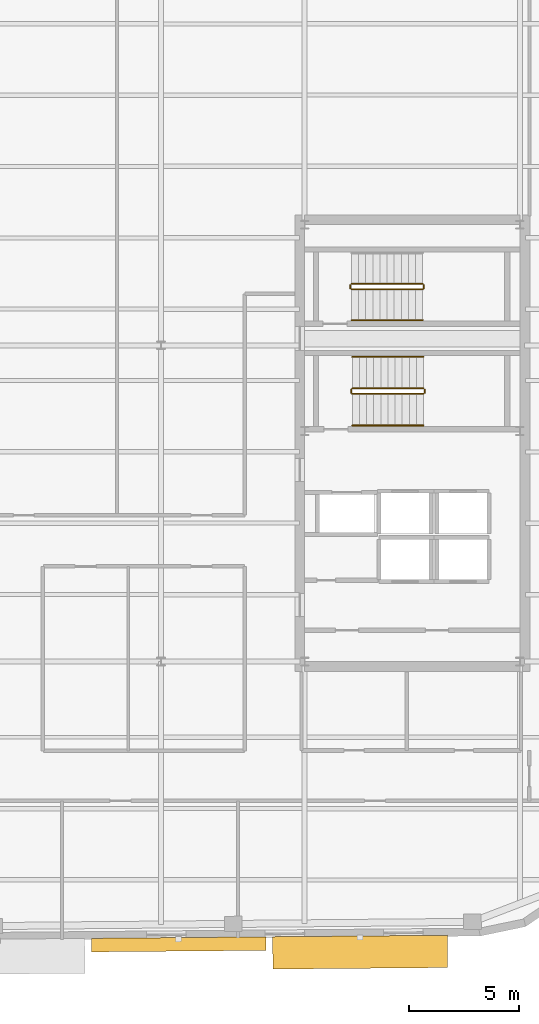
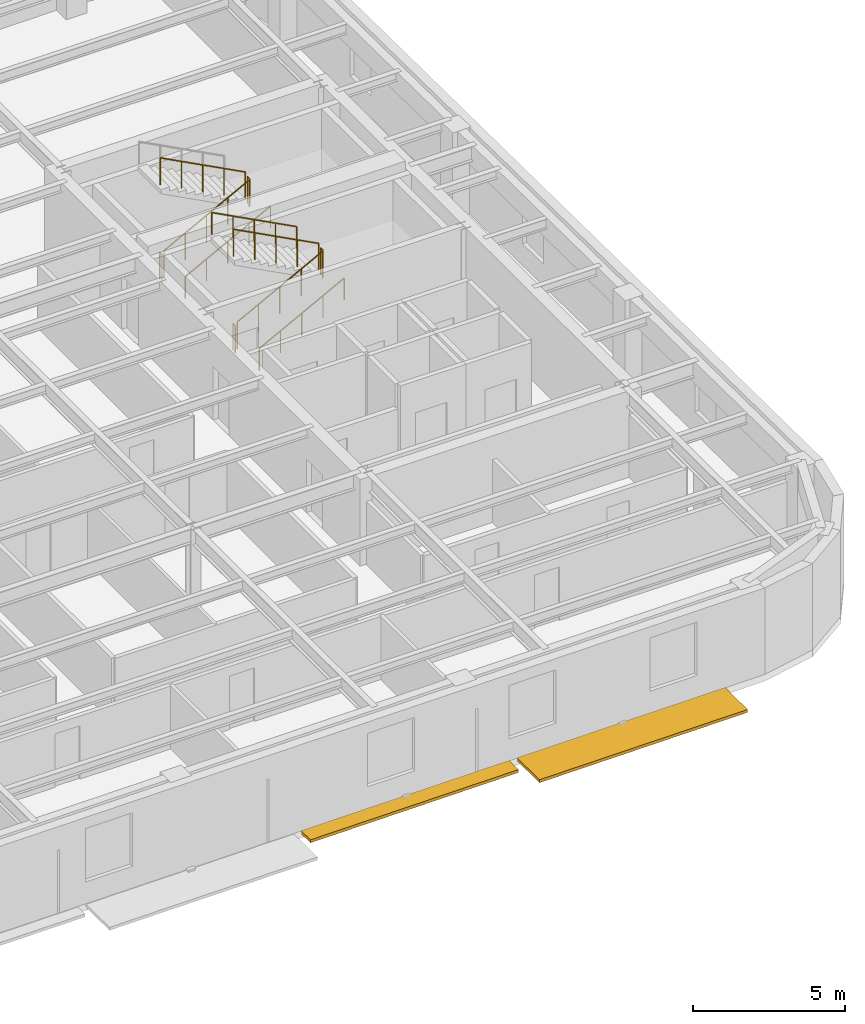
# One storey, part 12 of 13: 11 railings, 2 shading devices.
"""IFC4 building model written with IfcOpenShell, lengths in metres."""

from ifc_helpers import new_model, si_unit, direction, frame, origin, origin_2d, place, context, subcontext, project, spatial, rectangle, circle, extrude, material, type_object, element, save


model = new_model("IFC4")

# Units and contexts
model_context = context("Model", 3, precision=1e-05, world=origin(), true_north=direction((0.0, 1.0)))
body_context = subcontext(model_context, "Body", "Model", "MODEL_VIEW")
ifc_project = project(units=[si_unit("LENGTHUNIT", "METRE"), si_unit("AREAUNIT", "SQUARE_METRE"), si_unit("VOLUMEUNIT", "CUBIC_METRE"), si_unit("PLANEANGLEUNIT", "RADIAN"), si_unit("MASSUNIT", "GRAM", prefix="KILO")], contexts=[model_context])

# Site, building, storey
site_placement = place(None, origin())
site = spatial("IfcSite", under=ifc_project, at=site_placement, CompositionType="ELEMENT")
building_placement = place(site_placement, origin())
building = spatial("IfcBuilding", under=site, at=building_placement, Name="Kolvaren Arena Tower", CompositionType="ELEMENT")
storey_placement = place(building_placement, frame((0.0, 0.0, 286.14990234375)))
storey = spatial("IfcBuildingStorey", under=building, at=storey_placement, Name="L70", CompositionType="ELEMENT", Elevation=286.14990234375)

# Railings
ifc_material_1 = material(Name="Painted galvanized steel", Category="steel")
railing_type_1 = type_object("IfcRailingType", Name="GUARD-ST-110", PredefinedType="GUARDRAIL", material=ifc_material_1)
railing_1_placement = place(storey_placement, frame((52.719970703125, 31.639892578125, 0.170654296875)))
element("IfcRailing", 1, at=railing_1_placement, inside=storey, type_object=railing_type_1, Name="L70 ST-E1 stair guard 1", PredefinedType="GUARDRAIL", context=body_context, shape_type="SweptSolid", body=[
    extrude(circle(Radius=0.02392578125, at=origin_2d()), frame((0.0, 0.0, 1.076171875), z_axis=(0.885020909582, 0.0, 0.465551274945), x_axis=(0.0, 1.0, 0.0)), (0.0, 0.0, 1.0), 3.660888671875),
    extrude(circle(Radius=0.02099609375, at=origin_2d()), origin(), (0.0, 0.0, 1.0), 1.052001953125),
    extrude(circle(Radius=0.02099609375, at=origin_2d()), frame((0.81005859375, 0.0, 0.426025390625)), (0.0, 0.0, 1.0), 1.052001953125),
    extrude(circle(Radius=0.02099609375, at=origin_2d()), frame((1.6201171875, 0.0, 0.85205078125)), (0.0, 0.0, 1.0), 1.052001953125),
    extrude(circle(Radius=0.02099609375, at=origin_2d()), frame((2.429931640625, 0.0, 1.2783203125)), (0.0, 0.0, 1.0), 1.052001953125),
    extrude(circle(Radius=0.02099609375, at=origin_2d()), frame((3.239990234375, 0.0, 1.704345703125)), (0.0, 0.0, 1.0), 1.052001953125),
])
railing_2_placement = place(storey_placement, frame((56.010009765625, 31.68994140625, 1.875)))
element("IfcRailing", 2, at=railing_2_placement, inside=storey, type_object=railing_type_1, Name="L70 ST-E1 stair guard 2", PredefinedType="GUARDRAIL", context=body_context, shape_type="SweptSolid", body=[
    extrude(circle(Radius=0.02392578125, at=origin_2d()), frame((0.0, 0.0, 1.076171875), z_axis=(0.0, 1.0, 0.0), x_axis=(-1.0, 0.0, 0.0)), (0.0, 0.0, 1.0), 0.150146484375),
    extrude(circle(Radius=0.02099609375, at=origin_2d()), origin(), (0.0, 0.0, 1.0), 1.052001953125),
    extrude(circle(Radius=0.02099609375, at=origin_2d()), frame((0.0, 0.150146484375, 0.0)), (0.0, 0.0, 1.0), 1.052001953125),
])
railing_3_placement = place(storey_placement, frame((55.9599609375, 31.889892578125, 2.045654296875)))
element("IfcRailing", 3, at=railing_3_placement, inside=storey, type_object=railing_type_1, Name="L70 ST-E1 stair guard 3", PredefinedType="GUARDRAIL", context=body_context, shape_type="SweptSolid", body=[
    extrude(circle(Radius=0.02392578125, at=origin_2d()), frame((0.0, 0.0, 1.076171875), z_axis=(-0.885020909582, 0.0, 0.465551274945), x_axis=(0.0, -1.0, 0.0)), (0.0, 0.0, 1.0), 3.660888671875),
    extrude(circle(Radius=0.02099609375, at=origin_2d()), origin(), (0.0, 0.0, 1.0), 1.052001953125),
    extrude(circle(Radius=0.02099609375, at=origin_2d()), frame((-0.81005859375, 0.0, 0.426025390625)), (0.0, 0.0, 1.0), 1.052001953125),
    extrude(circle(Radius=0.02099609375, at=origin_2d()), frame((-1.6201171875, 0.0, 0.85205078125)), (0.0, 0.0, 1.0), 1.052001953125),
    extrude(circle(Radius=0.02099609375, at=origin_2d()), frame((-2.429931640625, 0.0, 1.2783203125)), (0.0, 0.0, 1.0), 1.052001953125),
    extrude(circle(Radius=0.02099609375, at=origin_2d()), frame((-3.239990234375, 0.0, 1.704345703125)), (0.0, 0.0, 1.0), 1.052001953125),
])
railing_4_placement = place(storey_placement, frame((52.669921875, 31.68994140625, 0.0)))
element("IfcRailing", 4, at=railing_4_placement, inside=storey, type_object=railing_type_1, Name="L70 ST-E1 stair guard 4", PredefinedType="GUARDRAIL", context=body_context, shape_type="SweptSolid", body=[
    extrude(circle(Radius=0.02392578125, at=origin_2d()), frame((0.0, 0.0, 1.076171875), z_axis=(0.0, 1.0, 0.0), x_axis=(-1.0, 0.0, 0.0)), (0.0, 0.0, 1.0), 0.150146484375),
    extrude(circle(Radius=0.02099609375, at=origin_2d()), origin(), (0.0, 0.0, 1.0), 1.052001953125),
    extrude(circle(Radius=0.02099609375, at=origin_2d()), frame((0.0, 0.150146484375, 0.0)), (0.0, 0.0, 1.0), 1.052001953125),
])
railing_5_placement = place(storey_placement, frame((52.679931640625, 36.39990234375, 0.170654296875)))
element("IfcRailing", 5, at=railing_5_placement, inside=storey, type_object=railing_type_1, Name="L70 ST-E2 stair guard 1", PredefinedType="GUARDRAIL", context=body_context, shape_type="SweptSolid", body=[
    extrude(circle(Radius=0.02392578125, at=origin_2d()), frame((0.0, 0.0, 1.076171875), z_axis=(0.885020909582, 0.0, 0.465551274945), x_axis=(0.0, 1.0, 0.0)), (0.0, 0.0, 1.0), 3.660888671875),
    extrude(circle(Radius=0.02099609375, at=origin_2d()), origin(), (0.0, 0.0, 1.0), 1.052001953125),
    extrude(circle(Radius=0.02099609375, at=origin_2d()), frame((0.81005859375, 0.0, 0.426025390625)), (0.0, 0.0, 1.0), 1.052001953125),
    extrude(circle(Radius=0.02099609375, at=origin_2d()), frame((1.6201171875, 0.0, 0.85205078125)), (0.0, 0.0, 1.0), 1.052001953125),
    extrude(circle(Radius=0.02099609375, at=origin_2d()), frame((2.429931640625, 0.0, 1.2783203125)), (0.0, 0.0, 1.0), 1.052001953125),
    extrude(circle(Radius=0.02099609375, at=origin_2d()), frame((3.239990234375, 0.0, 1.704345703125)), (0.0, 0.0, 1.0), 1.052001953125),
])
railing_6_placement = place(storey_placement, frame((55.969970703125, 36.449951171875, 1.875)))
element("IfcRailing", 6, at=railing_6_placement, inside=storey, type_object=railing_type_1, Name="L70 ST-E2 stair guard 2", PredefinedType="GUARDRAIL", context=body_context, shape_type="SweptSolid", body=[
    extrude(circle(Radius=0.02392578125, at=origin_2d()), frame((0.0, 0.0, 1.076171875), z_axis=(0.0, 1.0, 0.0), x_axis=(-1.0, 0.0, 0.0)), (0.0, 0.0, 1.0), 0.150146484375),
    extrude(circle(Radius=0.02099609375, at=origin_2d()), origin(), (0.0, 0.0, 1.0), 1.052001953125),
    extrude(circle(Radius=0.02099609375, at=origin_2d()), frame((0.0, 0.150146484375, 0.0)), (0.0, 0.0, 1.0), 1.052001953125),
])
railing_7_placement = place(storey_placement, frame((55.919921875, 36.64990234375, 2.045654296875)))
element("IfcRailing", 7, at=railing_7_placement, inside=storey, type_object=railing_type_1, Name="L70 ST-E2 stair guard 3", PredefinedType="GUARDRAIL", context=body_context, shape_type="SweptSolid", body=[
    extrude(circle(Radius=0.02392578125, at=origin_2d()), frame((0.0, 0.0, 1.076171875), z_axis=(-0.885020909582, 0.0, 0.465551274945), x_axis=(0.0, -1.0, 0.0)), (0.0, 0.0, 1.0), 3.660888671875),
    extrude(circle(Radius=0.02099609375, at=origin_2d()), origin(), (0.0, 0.0, 1.0), 1.052001953125),
    extrude(circle(Radius=0.02099609375, at=origin_2d()), frame((-0.81005859375, 0.0, 0.426025390625)), (0.0, 0.0, 1.0), 1.052001953125),
    extrude(circle(Radius=0.02099609375, at=origin_2d()), frame((-1.6201171875, 0.0, 0.85205078125)), (0.0, 0.0, 1.0), 1.052001953125),
    extrude(circle(Radius=0.02099609375, at=origin_2d()), frame((-2.429931640625, 0.0, 1.2783203125)), (0.0, 0.0, 1.0), 1.052001953125),
    extrude(circle(Radius=0.02099609375, at=origin_2d()), frame((-3.239990234375, 0.0, 1.704345703125)), (0.0, 0.0, 1.0), 1.052001953125),
])
railing_8_placement = place(storey_placement, frame((52.6298828125, 36.449951171875, 0.0)))
element("IfcRailing", 8, at=railing_8_placement, inside=storey, type_object=railing_type_1, Name="L70 ST-E2 stair guard 4", PredefinedType="GUARDRAIL", context=body_context, shape_type="SweptSolid", body=[
    extrude(circle(Radius=0.02392578125, at=origin_2d()), frame((0.0, 0.0, 1.076171875), z_axis=(0.0, 1.0, 0.0), x_axis=(-1.0, 0.0, 0.0)), (0.0, 0.0, 1.0), 0.150146484375),
    extrude(circle(Radius=0.02099609375, at=origin_2d()), origin(), (0.0, 0.0, 1.0), 1.052001953125),
    extrude(circle(Radius=0.02099609375, at=origin_2d()), frame((0.0, 0.150146484375, 0.0)), (0.0, 0.0, 1.0), 1.052001953125),
])
ifc_material_2 = material(Name="Brushed stainless steel handrail", Category="steel")
railing_type_2 = type_object("IfcRailingType", Name="HRAIL-900", PredefinedType="HANDRAIL", material=ifc_material_2)
railing_9_placement = place(storey_placement, frame((52.719970703125, 30.199951171875, 0.170654296875)))
element("IfcRailing", 9, at=railing_9_placement, inside=storey, type_object=railing_type_2, Name="L70 ST-E1 stair handrail 1", PredefinedType="HANDRAIL", context=body_context, shape_type="SweptSolid", body=[
    extrude(circle(Radius=0.02392578125, at=origin_2d()), frame((0.0, 0.0, 0.8759765625), z_axis=(0.885020909582, 0.0, 0.465551274945), x_axis=(0.0, 1.0, 0.0)), (0.0, 0.0, 1.0), 3.660888671875),
    extrude(circle(Radius=0.02099609375, at=origin_2d()), origin(), (0.0, 0.0, 1.0), 0.851806640625),
    extrude(circle(Radius=0.02099609375, at=origin_2d()), frame((0.81005859375, 0.0, 0.426025390625)), (0.0, 0.0, 1.0), 0.851806640625),
    extrude(circle(Radius=0.02099609375, at=origin_2d()), frame((1.6201171875, 0.0, 0.85205078125)), (0.0, 0.0, 1.0), 0.851806640625),
    extrude(circle(Radius=0.02099609375, at=origin_2d()), frame((2.429931640625, 0.0, 1.2783203125)), (0.0, 0.0, 1.0), 0.851806640625),
    extrude(circle(Radius=0.02099609375, at=origin_2d()), frame((3.239990234375, 0.0, 1.704345703125)), (0.0, 0.0, 1.0), 0.851806640625),
])
railing_10_placement = place(storey_placement, frame((55.9599609375, 33.330078125, 2.045654296875)))
element("IfcRailing", 10, at=railing_10_placement, inside=storey, type_object=railing_type_2, Name="L70 ST-E1 stair handrail 2", PredefinedType="HANDRAIL", context=body_context, shape_type="SweptSolid", body=[
    extrude(circle(Radius=0.02392578125, at=origin_2d()), frame((0.0, 0.0, 0.8759765625), z_axis=(-0.885020909582, 0.0, 0.465551274945), x_axis=(0.0, -1.0, 0.0)), (0.0, 0.0, 1.0), 3.660888671875),
    extrude(circle(Radius=0.02099609375, at=origin_2d()), origin(), (0.0, 0.0, 1.0), 0.851806640625),
    extrude(circle(Radius=0.02099609375, at=origin_2d()), frame((-0.81005859375, 0.0, 0.426025390625)), (0.0, 0.0, 1.0), 0.851806640625),
    extrude(circle(Radius=0.02099609375, at=origin_2d()), frame((-1.6201171875, 0.0, 0.85205078125)), (0.0, 0.0, 1.0), 0.851806640625),
    extrude(circle(Radius=0.02099609375, at=origin_2d()), frame((-2.429931640625, 0.0, 1.2783203125)), (0.0, 0.0, 1.0), 0.851806640625),
    extrude(circle(Radius=0.02099609375, at=origin_2d()), frame((-3.239990234375, 0.0, 1.704345703125)), (0.0, 0.0, 1.0), 0.851806640625),
])
railing_11_placement = place(storey_placement, frame((52.679931640625, 35.0, 0.170654296875)))
element("IfcRailing", 11, at=railing_11_placement, inside=storey, type_object=railing_type_2, Name="L70 ST-E2 stair handrail 1", PredefinedType="HANDRAIL", context=body_context, shape_type="SweptSolid", body=[
    extrude(circle(Radius=0.02392578125, at=origin_2d()), frame((0.0, 0.0, 0.8759765625), z_axis=(0.885020909582, 0.0, 0.465551274945), x_axis=(0.0, 1.0, 0.0)), (0.0, 0.0, 1.0), 3.660888671875),
    extrude(circle(Radius=0.02099609375, at=origin_2d()), origin(), (0.0, 0.0, 1.0), 0.851806640625),
    extrude(circle(Radius=0.02099609375, at=origin_2d()), frame((0.81005859375, 0.0, 0.426025390625)), (0.0, 0.0, 1.0), 0.851806640625),
    extrude(circle(Radius=0.02099609375, at=origin_2d()), frame((1.6201171875, 0.0, 0.85205078125)), (0.0, 0.0, 1.0), 0.851806640625),
    extrude(circle(Radius=0.02099609375, at=origin_2d()), frame((2.429931640625, 0.0, 1.2783203125)), (0.0, 0.0, 1.0), 0.851806640625),
    extrude(circle(Radius=0.02099609375, at=origin_2d()), frame((3.239990234375, 0.0, 1.704345703125)), (0.0, 0.0, 1.0), 0.851806640625),
])

# Shading devices
ifc_material_3 = material(Name="Architectural precast GFRC and anodised aluminium sunshade", Category="concrete")
shading_device_type_1 = type_object("IfcShadingDeviceType", Name="SHAD-SINE-A", PredefinedType="USERDEFINED", material=ifc_material_3)
shading_device_1_placement = place(storey_placement, frame((44.80859375, 6.565673828125, -0.139892578125), z_axis=(0.0, 0.0, 1.0), x_axis=(-0.999961923064, -0.008726535498, 0.0)))
element("IfcShadingDevice", 12, at=shading_device_1_placement, inside=storey, type_object=shading_device_type_1, Name="Sinusoidal Slab-Edge Sunshade Louvre (L70)", ObjectType="LOUVRE", PredefinedType="USERDEFINED", context=body_context, shape_type="SweptSolid", body=[
    extrude(rectangle(XDim=7.9599609375, YDim=0.6171875, at=origin_2d()), origin(), (0.0, 0.0, 1.0), 0.1201171875),
])
shading_device_type_2 = type_object("IfcShadingDeviceType", Name="SHAD-SINE-B", PredefinedType="JALOUSIE", material=ifc_material_3)
shading_device_2_placement = place(storey_placement, frame((53.072021484375, 6.2099609375, -0.139892578125), z_axis=(0.0, 0.0, 1.0), x_axis=(-0.999961923064, -0.008726535498, 0.0)))
element("IfcShadingDevice", 13, at=shading_device_2_placement, inside=storey, type_object=shading_device_type_2, Name="Sinusoidal Slab-Edge Sunshade Louvre (L70)", PredefinedType="JALOUSIE", context=body_context, shape_type="SweptSolid", body=[
    extrude(rectangle(XDim=7.9599609375, YDim=1.472900390625, at=origin_2d()), origin(), (0.0, 0.0, 1.0), 0.1201171875),
])

save(model, "model.ifc")
